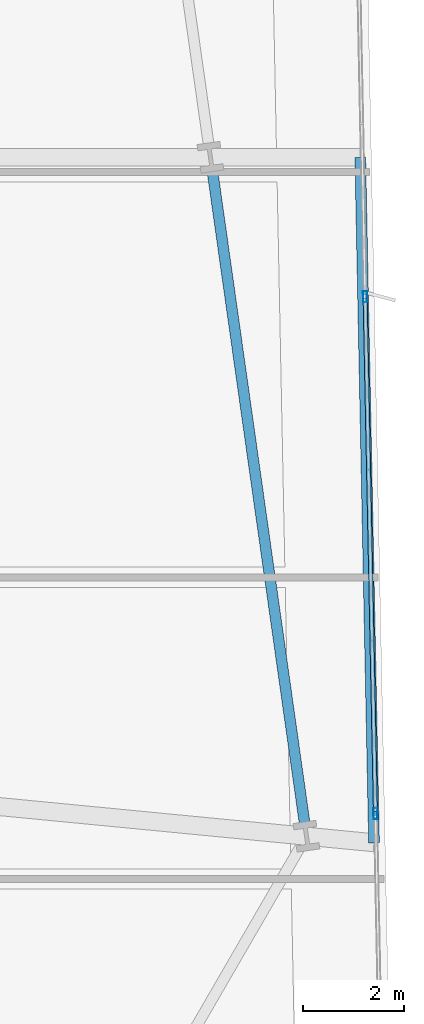
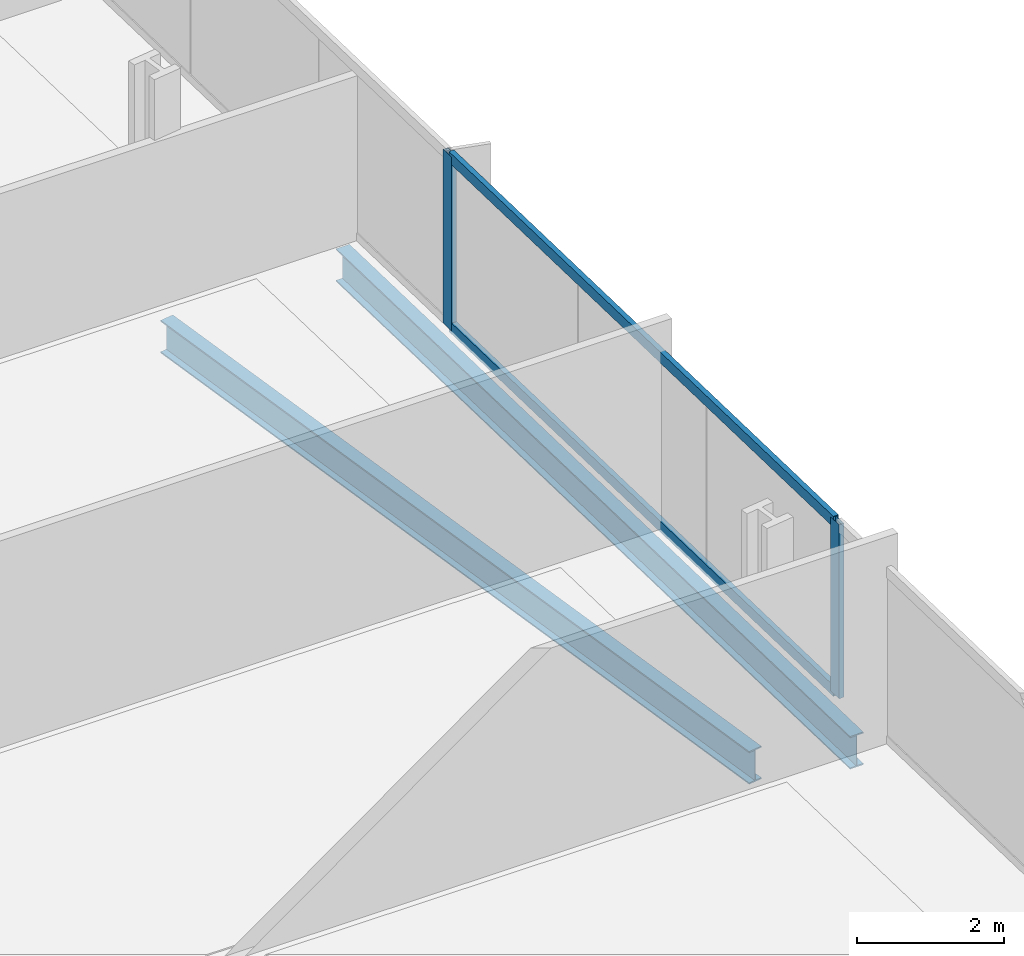
# One storey, part 14 of 35: 4 members, 2 beams, 1 element without a shape of its own.
"""IFC4 building model written with IfcOpenShell, lengths in metres."""

from ifc_helpers import new_model, si_unit, direction, frame, origin, origin_2d, place, context, subcontext, project, spatial, hollow_rectangle, i_section, extrude, material, material_profile, profile_set, type_object, element, aggregate, save


model = new_model("IFC4")

# Units and contexts
model_context = context("Model", 3, precision=1e-05, world=origin(), true_north=direction((0.0, 1.0)))
body_context = subcontext(model_context, "Body", "Model", "MODEL_VIEW")
ifc_project = project(units=[si_unit("LENGTHUNIT", "METRE"), si_unit("AREAUNIT", "SQUARE_METRE"), si_unit("VOLUMEUNIT", "CUBIC_METRE"), si_unit("PLANEANGLEUNIT", "RADIAN"), si_unit("MASSUNIT", "GRAM", prefix="KILO")], contexts=[model_context])

# Site, building, storey
site_placement = place(None, origin())
site = spatial("IfcSite", under=ifc_project, at=site_placement, CompositionType="ELEMENT")
building_placement = place(site_placement, origin())
building = spatial("IfcBuilding", under=site, at=building_placement, Name="Haldenkirk Collegiate Tower", CompositionType="ELEMENT")
storey_placement = place(building_placement, frame((0.0, 0.0, 32.699951171875)))
storey = spatial("IfcBuildingStorey", under=building, at=storey_placement, Name="L06", CompositionType="ELEMENT", Elevation=32.699951171875)

# Beams
ifc_material_1 = material(Name="Steel ASTM A992 Grade 50", Category="steel")
ifc_material_profile_1 = material_profile(ifc_material_1, i_section(OverallWidth=0.2119140625, OverallDepth=0.5439453125, WebThickness=0.01318359375, FlangeThickness=0.021240234375, at=origin_2d()), Name="W21X83")
ifc_profile_set_1 = profile_set([ifc_material_profile_1], Name="Steel ASTM A992 Grade 50")
beam_type = type_object("IfcBeamType", Name="BM-SPANDREL-W21X83", PredefinedType="SPANDREL", material=ifc_profile_set_1)
beam_1_placement = place(storey_placement, frame((61.611083984375, 16.65478515625, -0.58203125), z_axis=(-0.140040904101, 0.990145719164, 0.0), x_axis=(-0.990145719164, -0.140040904101, 0.0)))
element("IfcBeam", 1, at=beam_1_placement, inside=storey, type_object=beam_type, Name="L06 perimeter spandrel beam 06", PredefinedType="SPANDREL", context=body_context, shape_type="SweptSolid", body=[
    extrude(i_section(OverallWidth=0.2119140625, OverallDepth=0.5439453125, WebThickness=0.01318359375, FlangeThickness=0.021240234375, at=origin_2d()), origin(), (0.0, 0.0, 1.0), 13.000244140625),
])
beam_2_placement = place(storey_placement, frame((62.980712890625, 16.264404296875, -0.58203125), z_axis=(-0.020069608395, 0.999798585125, 0.0), x_axis=(-0.999798585125, -0.020069608395, 0.0)))
element("IfcBeam", 2, at=beam_2_placement, inside=storey, type_object=beam_type, Name="L06 outer facade edge beam 2", PredefinedType="SPANDREL", context=body_context, shape_type="SweptSolid", body=[
    extrude(i_section(OverallWidth=0.2119140625, OverallDepth=0.5439453125, WebThickness=0.01318359375, FlangeThickness=0.021240234375, at=origin_2d()), origin(), (0.0, 0.0, 1.0), 13.527099609375),
])

# Curtain wall, members
ifc_material_2 = material(Name="Anodised architectural bronze aluminium", Category="aluminium")
curtain_wall_type = type_object("IfcCurtainWallType", Name="CW-SYS1-CONVEX-LOW", PredefinedType="USERDEFINED", material=ifc_material_2)
curtain_wall_placement = place(storey_placement, origin())
curtain_wall = element("IfcCurtainWall", 3, at=curtain_wall_placement, inside=storey, type_object=curtain_wall_type, Name="L06 Lower tower convex bronze-framed unitised curtain wall", ObjectType="UNITISED CURTAIN WALL", PredefinedType="USERDEFINED")
ifc_material_profile_2 = material_profile(ifc_material_2, hollow_rectangle(XDim=0.080078125, YDim=0.219970703125, WallThickness=0.0048828125, at=origin_2d()), Name="CW-MUL-1A")
ifc_profile_set_2 = profile_set([ifc_material_profile_2], Name="Anodised architectural bronze aluminium")
member_type_1 = type_object("IfcMemberType", Name="CW-MUL-1A", PredefinedType="MULLION", material=ifc_profile_set_2)
member_1_placement = place(storey_placement, frame((62.804443359375, 27.0380859375, 0.0), z_axis=(0.0, 0.0, 1.0), x_axis=(0.999798604983, 0.020068619127, 0.0)))
member_1 = element("IfcMember", 4, at=member_1_placement, type_object=member_type_1, Name="CW-1A mullion 3", PredefinedType="MULLION", context=body_context, shape_type="SweptSolid", body=[
    extrude(hollow_rectangle(XDim=0.080078125, YDim=0.219970703125, WallThickness=0.0048828125, at=origin_2d()), origin(), (0.0, 0.0, 1.0), 2.89111328125),
])
member_2_placement = place(storey_placement, frame((63.00927734375, 16.84033203125, 0.0), z_axis=(0.0, 0.0, 1.0), x_axis=(0.999798604983, 0.020068619127, 0.0)))
member_2 = element("IfcMember", 5, at=member_2_placement, type_object=member_type_1, Name="CW-1A mullion 4", PredefinedType="MULLION", context=body_context, shape_type="SweptSolid", body=[
    extrude(hollow_rectangle(XDim=0.080078125, YDim=0.219970703125, WallThickness=0.0048828125, at=origin_2d()), origin(), (0.0, 0.0, 1.0), 2.89111328125),
])
ifc_material_profile_3 = material_profile(ifc_material_2, hollow_rectangle(XDim=0.080078125, YDim=0.179931640625, WallThickness=0.0048828125, at=origin_2d()), Name="CW-TRN-1A")
ifc_profile_set_3 = profile_set([ifc_material_profile_3], Name="Anodised architectural bronze aluminium")
member_type_2 = type_object("IfcMemberType", Name="CW-TRN-1A", PredefinedType="USERDEFINED", material=ifc_profile_set_3)
member_3_placement = place(storey_placement, frame((62.805419921875, 26.998291015625, 0.0400390625), z_axis=(0.020047123808, -0.99979903622, 0.0), x_axis=(0.99979903622, 0.020047123808, 0.0)))
member_3 = element("IfcMember", 6, at=member_3_placement, type_object=member_type_2, Name="CW-1A transom 3.1", ObjectType="TRANSOM", PredefinedType="USERDEFINED", context=body_context, shape_type="SweptSolid", body=[
    extrude(hollow_rectangle(XDim=0.080078125, YDim=0.179931640625, WallThickness=0.0048828125, at=origin_2d()), origin(), (0.0, 0.0, 1.0), 10.1201171875),
])
member_4_placement = place(storey_placement, frame((62.805419921875, 26.998291015625, 2.85107421875), z_axis=(0.020047123808, -0.99979903622, 0.0), x_axis=(0.99979903622, 0.020047123808, 0.0)))
member_4 = element("IfcMember", 7, at=member_4_placement, type_object=member_type_2, Name="CW-1A transom 3.2", ObjectType="TRANSOM", PredefinedType="USERDEFINED", context=body_context, shape_type="SweptSolid", body=[
    extrude(hollow_rectangle(XDim=0.080078125, YDim=0.179931640625, WallThickness=0.0048828125, at=origin_2d()), origin(), (0.0, 0.0, 1.0), 10.1201171875),
])
aggregate(curtain_wall, [member_1, member_2, member_3, member_4])

save(model, "model.ifc")
